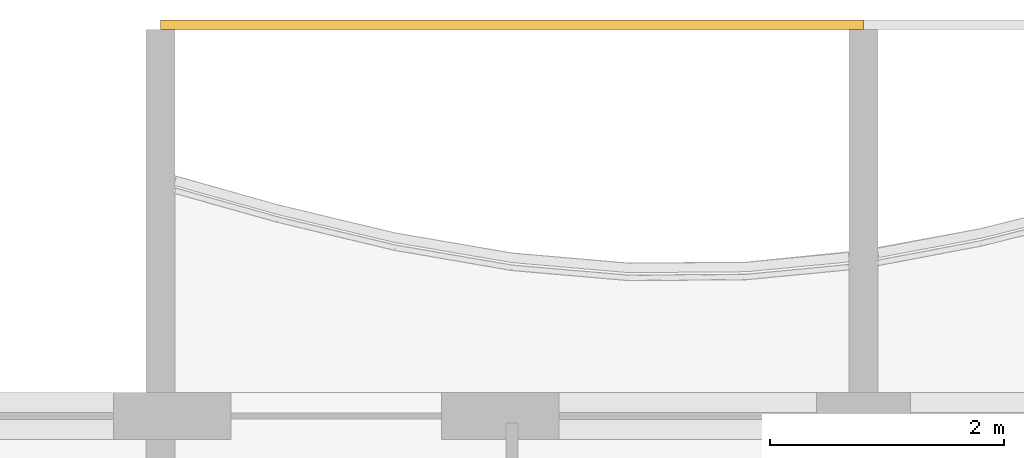
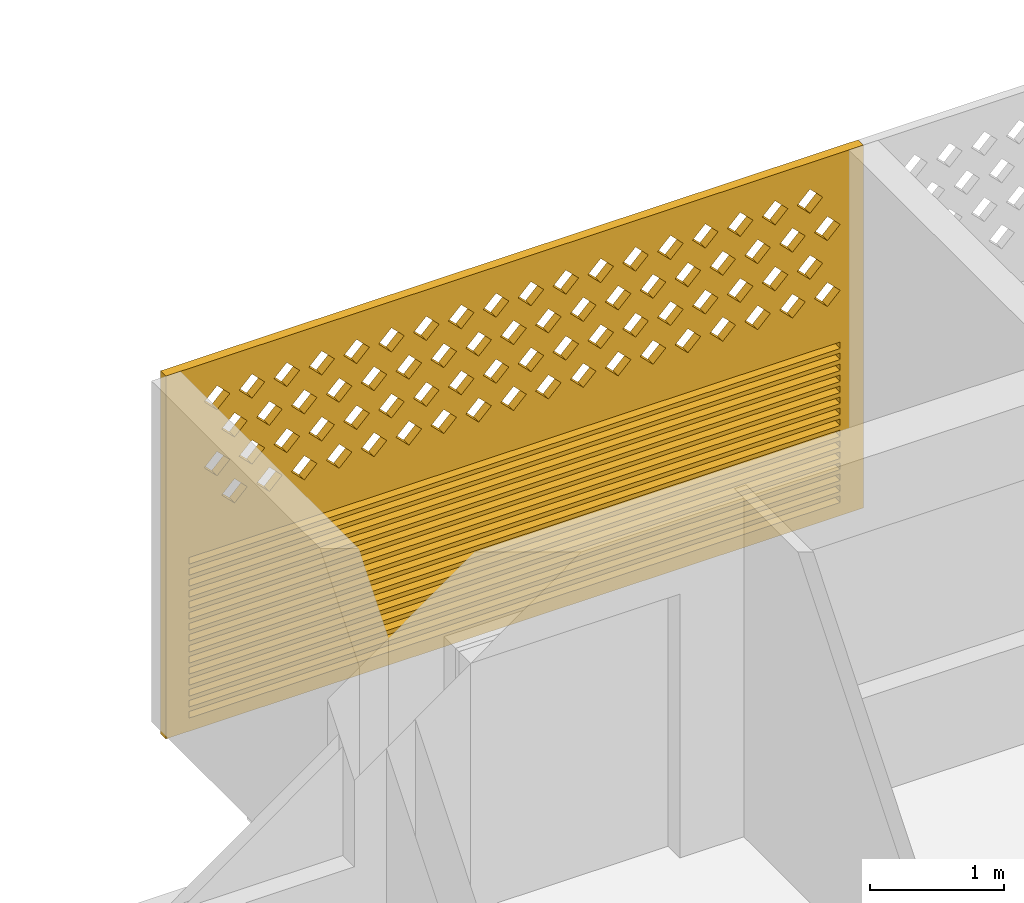
# One storey, part 24 of 26: 1 covering.
"""IFC4 building model written with IfcOpenShell, lengths in metres."""

from ifc_helpers import new_model, si_unit, direction, frame, origin, place, context, subcontext, project, spatial, polyline, outline, extrude, source, transform, mapped, material, material_profile, profile_set, type_object, element, save


model = new_model("IFC4")

# Units and contexts
model_context = context("Model", 3, precision=1e-05, world=origin(), true_north=direction((0.0, 1.0)))
body_context = subcontext(model_context, "Body", "Model", "MODEL_VIEW")
ifc_project = project(units=[si_unit("LENGTHUNIT", "METRE"), si_unit("AREAUNIT", "SQUARE_METRE"), si_unit("VOLUMEUNIT", "CUBIC_METRE"), si_unit("PLANEANGLEUNIT", "RADIAN"), si_unit("MASSUNIT", "GRAM", prefix="KILO")], contexts=[model_context])

# Site, building, storey
site_placement = place(None, origin())
site = spatial("IfcSite", under=ifc_project, at=site_placement, CompositionType="ELEMENT")
building_placement = place(site_placement, origin())
building = spatial("IfcBuilding", under=site, at=building_placement, Name="Poui Terraces", CompositionType="ELEMENT")
storey_placement = place(building_placement, frame((0.0, 0.0, 175.199951171875)))
storey = spatial("IfcBuildingStorey", under=building, at=storey_placement, Name="L48", CompositionType="ELEMENT", Elevation=175.199951171875)

# Covering
ifc_material = material(Name="Terracotta screen", Category="masonry")
ifc_material_profile = material_profile(ifc_material, outline(polyline([(-3.0, -1.64990234375), (3.0, -1.64990234375), (3.0, 1.64990234375), (-3.0, 1.64990234375), (-3.0, -1.64990234375)]), holes=[polyline([(-2.800048828125, 0.39990234375), (-2.68994140625, 0.2900390625), (-2.580078125, 0.39990234375), (-2.68994140625, 0.510009765625), (-2.800048828125, 0.39990234375)]), polyline([(-2.5, 0.39990234375), (-2.389892578125, 0.2900390625), (-2.280029296875, 0.39990234375), (-2.389892578125, 0.510009765625), (-2.5, 0.39990234375)]), polyline([(-2.199951171875, 0.39990234375), (-2.090087890625, 0.2900390625), (-1.97998046875, 0.39990234375), (-2.090087890625, 0.510009765625), (-2.199951171875, 0.39990234375)]), polyline([(-1.89990234375, 0.39990234375), (-1.7900390625, 0.2900390625), (-1.679931640625, 0.39990234375), (-1.7900390625, 0.510009765625), (-1.89990234375, 0.39990234375)]), polyline([(-1.60009765625, 0.39990234375), (-1.489990234375, 0.2900390625), (-1.3798828125, 0.39990234375), (-1.489990234375, 0.510009765625), (-1.60009765625, 0.39990234375)]), polyline([(-1.300048828125, 0.39990234375), (-1.18994140625, 0.2900390625), (-1.080078125, 0.39990234375), (-1.18994140625, 0.510009765625), (-1.300048828125, 0.39990234375)]), polyline([(-1.0, 0.39990234375), (-0.889892578125, 0.2900390625), (-0.780029296875, 0.39990234375), (-0.889892578125, 0.510009765625), (-1.0, 0.39990234375)]), polyline([(-0.699951171875, 0.39990234375), (-0.590087890625, 0.2900390625), (-0.47998046875, 0.39990234375), (-0.590087890625, 0.510009765625), (-0.699951171875, 0.39990234375)]), polyline([(-0.39990234375, 0.39990234375), (-0.2900390625, 0.2900390625), (-0.179931640625, 0.39990234375), (-0.2900390625, 0.510009765625), (-0.39990234375, 0.39990234375)]), polyline([(-0.10009765625, 0.39990234375), (0.010009765625, 0.2900390625), (0.1201171875, 0.39990234375), (0.010009765625, 0.510009765625), (-0.10009765625, 0.39990234375)]), polyline([(0.199951171875, 0.39990234375), (0.31005859375, 0.2900390625), (0.419921875, 0.39990234375), (0.31005859375, 0.510009765625), (0.199951171875, 0.39990234375)]), polyline([(0.5, 0.39990234375), (0.610107421875, 0.2900390625), (0.719970703125, 0.39990234375), (0.610107421875, 0.510009765625), (0.5, 0.39990234375)]), polyline([(0.800048828125, 0.39990234375), (0.909912109375, 0.2900390625), (1.02001953125, 0.39990234375), (0.909912109375, 0.510009765625), (0.800048828125, 0.39990234375)]), polyline([(1.10009765625, 0.39990234375), (1.2099609375, 0.2900390625), (1.320068359375, 0.39990234375), (1.2099609375, 0.510009765625), (1.10009765625, 0.39990234375)]), polyline([(1.39990234375, 0.39990234375), (1.510009765625, 0.2900390625), (1.6201171875, 0.39990234375), (1.510009765625, 0.510009765625), (1.39990234375, 0.39990234375)]), polyline([(1.699951171875, 0.39990234375), (1.81005859375, 0.2900390625), (1.919921875, 0.39990234375), (1.81005859375, 0.510009765625), (1.699951171875, 0.39990234375)]), polyline([(2.0, 0.39990234375), (2.110107421875, 0.2900390625), (2.219970703125, 0.39990234375), (2.110107421875, 0.510009765625), (2.0, 0.39990234375)]), polyline([(2.300048828125, 0.39990234375), (2.409912109375, 0.2900390625), (2.52001953125, 0.39990234375), (2.409912109375, 0.510009765625), (2.300048828125, 0.39990234375)]), polyline([(-2.64990234375, 0.699951171875), (-2.5400390625, 0.590087890625), (-2.429931640625, 0.699951171875), (-2.5400390625, 0.81005859375), (-2.64990234375, 0.699951171875)]), polyline([(-2.35009765625, 0.699951171875), (-2.239990234375, 0.590087890625), (-2.1298828125, 0.699951171875), (-2.239990234375, 0.81005859375), (-2.35009765625, 0.699951171875)]), polyline([(-2.050048828125, 0.699951171875), (-1.93994140625, 0.590087890625), (-1.830078125, 0.699951171875), (-1.93994140625, 0.81005859375), (-2.050048828125, 0.699951171875)]), polyline([(-1.75, 0.699951171875), (-1.639892578125, 0.590087890625), (-1.530029296875, 0.699951171875), (-1.639892578125, 0.81005859375), (-1.75, 0.699951171875)]), polyline([(-1.449951171875, 0.699951171875), (-1.340087890625, 0.590087890625), (-1.22998046875, 0.699951171875), (-1.340087890625, 0.81005859375), (-1.449951171875, 0.699951171875)]), polyline([(-1.14990234375, 0.699951171875), (-1.0400390625, 0.590087890625), (-0.929931640625, 0.699951171875), (-1.0400390625, 0.81005859375), (-1.14990234375, 0.699951171875)]), polyline([(-0.85009765625, 0.699951171875), (-0.739990234375, 0.590087890625), (-0.6298828125, 0.699951171875), (-0.739990234375, 0.81005859375), (-0.85009765625, 0.699951171875)]), polyline([(-0.550048828125, 0.699951171875), (-0.43994140625, 0.590087890625), (-0.330078125, 0.699951171875), (-0.43994140625, 0.81005859375), (-0.550048828125, 0.699951171875)]), polyline([(-0.25, 0.699951171875), (-0.139892578125, 0.590087890625), (-0.030029296875, 0.699951171875), (-0.139892578125, 0.81005859375), (-0.25, 0.699951171875)]), polyline([(0.050048828125, 0.699951171875), (0.159912109375, 0.590087890625), (0.27001953125, 0.699951171875), (0.159912109375, 0.81005859375), (0.050048828125, 0.699951171875)]), polyline([(0.35009765625, 0.699951171875), (0.4599609375, 0.590087890625), (0.570068359375, 0.699951171875), (0.4599609375, 0.81005859375), (0.35009765625, 0.699951171875)]), polyline([(0.64990234375, 0.699951171875), (0.760009765625, 0.590087890625), (0.8701171875, 0.699951171875), (0.760009765625, 0.81005859375), (0.64990234375, 0.699951171875)]), polyline([(0.949951171875, 0.699951171875), (1.06005859375, 0.590087890625), (1.169921875, 0.699951171875), (1.06005859375, 0.81005859375), (0.949951171875, 0.699951171875)]), polyline([(1.25, 0.699951171875), (1.360107421875, 0.590087890625), (1.469970703125, 0.699951171875), (1.360107421875, 0.81005859375), (1.25, 0.699951171875)]), polyline([(1.550048828125, 0.699951171875), (1.659912109375, 0.590087890625), (1.77001953125, 0.699951171875), (1.659912109375, 0.81005859375), (1.550048828125, 0.699951171875)]), polyline([(1.85009765625, 0.699951171875), (1.9599609375, 0.590087890625), (2.070068359375, 0.699951171875), (1.9599609375, 0.81005859375), (1.85009765625, 0.699951171875)]), polyline([(2.14990234375, 0.699951171875), (2.260009765625, 0.590087890625), (2.3701171875, 0.699951171875), (2.260009765625, 0.81005859375), (2.14990234375, 0.699951171875)]), polyline([(2.449951171875, 0.699951171875), (2.56005859375, 0.590087890625), (2.669921875, 0.699951171875), (2.56005859375, 0.81005859375), (2.449951171875, 0.699951171875)]), polyline([(-2.800048828125, 1.0), (-2.68994140625, 0.889892578125), (-2.580078125, 1.0), (-2.68994140625, 1.110107421875), (-2.800048828125, 1.0)]), polyline([(-2.5, 1.0), (-2.389892578125, 0.889892578125), (-2.280029296875, 1.0), (-2.389892578125, 1.110107421875), (-2.5, 1.0)]), polyline([(-2.199951171875, 1.0), (-2.090087890625, 0.889892578125), (-1.97998046875, 1.0), (-2.090087890625, 1.110107421875), (-2.199951171875, 1.0)]), polyline([(-1.89990234375, 1.0), (-1.7900390625, 0.889892578125), (-1.679931640625, 1.0), (-1.7900390625, 1.110107421875), (-1.89990234375, 1.0)]), polyline([(-1.60009765625, 1.0), (-1.489990234375, 0.889892578125), (-1.3798828125, 1.0), (-1.489990234375, 1.110107421875), (-1.60009765625, 1.0)]), polyline([(-1.300048828125, 1.0), (-1.18994140625, 0.889892578125), (-1.080078125, 1.0), (-1.18994140625, 1.110107421875), (-1.300048828125, 1.0)]), polyline([(-1.0, 1.0), (-0.889892578125, 0.889892578125), (-0.780029296875, 1.0), (-0.889892578125, 1.110107421875), (-1.0, 1.0)]), polyline([(-0.699951171875, 1.0), (-0.590087890625, 0.889892578125), (-0.47998046875, 1.0), (-0.590087890625, 1.110107421875), (-0.699951171875, 1.0)]), polyline([(-0.39990234375, 1.0), (-0.2900390625, 0.889892578125), (-0.179931640625, 1.0), (-0.2900390625, 1.110107421875), (-0.39990234375, 1.0)]), polyline([(-0.10009765625, 1.0), (0.010009765625, 0.889892578125), (0.1201171875, 1.0), (0.010009765625, 1.110107421875), (-0.10009765625, 1.0)]), polyline([(0.199951171875, 1.0), (0.31005859375, 0.889892578125), (0.419921875, 1.0), (0.31005859375, 1.110107421875), (0.199951171875, 1.0)]), polyline([(0.5, 1.0), (0.610107421875, 0.889892578125), (0.719970703125, 1.0), (0.610107421875, 1.110107421875), (0.5, 1.0)]), polyline([(0.800048828125, 1.0), (0.909912109375, 0.889892578125), (1.02001953125, 1.0), (0.909912109375, 1.110107421875), (0.800048828125, 1.0)]), polyline([(1.10009765625, 1.0), (1.2099609375, 0.889892578125), (1.320068359375, 1.0), (1.2099609375, 1.110107421875), (1.10009765625, 1.0)]), polyline([(1.39990234375, 1.0), (1.510009765625, 0.889892578125), (1.6201171875, 1.0), (1.510009765625, 1.110107421875), (1.39990234375, 1.0)]), polyline([(1.699951171875, 1.0), (1.81005859375, 0.889892578125), (1.919921875, 1.0), (1.81005859375, 1.110107421875), (1.699951171875, 1.0)]), polyline([(2.0, 1.0), (2.110107421875, 0.889892578125), (2.219970703125, 1.0), (2.110107421875, 1.110107421875), (2.0, 1.0)]), polyline([(2.300048828125, 1.0), (2.409912109375, 0.889892578125), (2.52001953125, 1.0), (2.409912109375, 1.110107421875), (2.300048828125, 1.0)]), polyline([(-2.64990234375, 1.300048828125), (-2.5400390625, 1.18994140625), (-2.429931640625, 1.300048828125), (-2.5400390625, 1.409912109375), (-2.64990234375, 1.300048828125)]), polyline([(-2.35009765625, 1.300048828125), (-2.239990234375, 1.18994140625), (-2.1298828125, 1.300048828125), (-2.239990234375, 1.409912109375), (-2.35009765625, 1.300048828125)]), polyline([(-2.050048828125, 1.300048828125), (-1.93994140625, 1.18994140625), (-1.830078125, 1.300048828125), (-1.93994140625, 1.409912109375), (-2.050048828125, 1.300048828125)]), polyline([(-1.75, 1.300048828125), (-1.639892578125, 1.18994140625), (-1.530029296875, 1.300048828125), (-1.639892578125, 1.409912109375), (-1.75, 1.300048828125)]), polyline([(-1.449951171875, 1.300048828125), (-1.340087890625, 1.18994140625), (-1.22998046875, 1.300048828125), (-1.340087890625, 1.409912109375), (-1.449951171875, 1.300048828125)]), polyline([(-1.14990234375, 1.300048828125), (-1.0400390625, 1.18994140625), (-0.929931640625, 1.300048828125), (-1.0400390625, 1.409912109375), (-1.14990234375, 1.300048828125)]), polyline([(-0.85009765625, 1.300048828125), (-0.739990234375, 1.18994140625), (-0.6298828125, 1.300048828125), (-0.739990234375, 1.409912109375), (-0.85009765625, 1.300048828125)]), polyline([(-0.550048828125, 1.300048828125), (-0.43994140625, 1.18994140625), (-0.330078125, 1.300048828125), (-0.43994140625, 1.409912109375), (-0.550048828125, 1.300048828125)]), polyline([(-0.25, 1.300048828125), (-0.139892578125, 1.18994140625), (-0.030029296875, 1.300048828125), (-0.139892578125, 1.409912109375), (-0.25, 1.300048828125)]), polyline([(0.050048828125, 1.300048828125), (0.159912109375, 1.18994140625), (0.27001953125, 1.300048828125), (0.159912109375, 1.409912109375), (0.050048828125, 1.300048828125)]), polyline([(0.35009765625, 1.300048828125), (0.4599609375, 1.18994140625), (0.570068359375, 1.300048828125), (0.4599609375, 1.409912109375), (0.35009765625, 1.300048828125)]), polyline([(0.64990234375, 1.300048828125), (0.760009765625, 1.18994140625), (0.8701171875, 1.300048828125), (0.760009765625, 1.409912109375), (0.64990234375, 1.300048828125)]), polyline([(0.949951171875, 1.300048828125), (1.06005859375, 1.18994140625), (1.169921875, 1.300048828125), (1.06005859375, 1.409912109375), (0.949951171875, 1.300048828125)]), polyline([(1.25, 1.300048828125), (1.360107421875, 1.18994140625), (1.469970703125, 1.300048828125), (1.360107421875, 1.409912109375), (1.25, 1.300048828125)]), polyline([(1.550048828125, 1.300048828125), (1.659912109375, 1.18994140625), (1.77001953125, 1.300048828125), (1.659912109375, 1.409912109375), (1.550048828125, 1.300048828125)]), polyline([(1.85009765625, 1.300048828125), (1.9599609375, 1.18994140625), (2.070068359375, 1.300048828125), (1.9599609375, 1.409912109375), (1.85009765625, 1.300048828125)]), polyline([(2.14990234375, 1.300048828125), (2.260009765625, 1.18994140625), (2.3701171875, 1.300048828125), (2.260009765625, 1.409912109375), (2.14990234375, 1.300048828125)]), polyline([(2.449951171875, 1.300048828125), (2.56005859375, 1.18994140625), (2.669921875, 1.300048828125), (2.56005859375, 1.409912109375), (2.449951171875, 1.300048828125)]), polyline([(-2.800048828125, -1.530029296875), (2.800048828125, -1.530029296875), (2.800048828125, -1.469970703125), (-2.800048828125, -1.469970703125), (-2.800048828125, -1.530029296875)]), polyline([(-2.800048828125, -1.429931640625), (2.800048828125, -1.429931640625), (2.800048828125, -1.3701171875), (-2.800048828125, -1.3701171875), (-2.800048828125, -1.429931640625)]), polyline([(-2.800048828125, -1.330078125), (2.800048828125, -1.330078125), (2.800048828125, -1.27001953125), (-2.800048828125, -1.27001953125), (-2.800048828125, -1.330078125)]), polyline([(-2.800048828125, -1.22998046875), (2.800048828125, -1.22998046875), (2.800048828125, -1.169921875), (-2.800048828125, -1.169921875), (-2.800048828125, -1.22998046875)]), polyline([(-2.800048828125, -1.1298828125), (2.800048828125, -1.1298828125), (2.800048828125, -1.070068359375), (-2.800048828125, -1.070068359375), (-2.800048828125, -1.1298828125)]), polyline([(-2.800048828125, -1.030029296875), (2.800048828125, -1.030029296875), (2.800048828125, -0.969970703125), (-2.800048828125, -0.969970703125), (-2.800048828125, -1.030029296875)]), polyline([(-2.800048828125, -0.929931640625), (2.800048828125, -0.929931640625), (2.800048828125, -0.8701171875), (-2.800048828125, -0.8701171875), (-2.800048828125, -0.929931640625)]), polyline([(-2.800048828125, -0.830078125), (2.800048828125, -0.830078125), (2.800048828125, -0.77001953125), (-2.800048828125, -0.77001953125), (-2.800048828125, -0.830078125)]), polyline([(-2.800048828125, -0.72998046875), (2.800048828125, -0.72998046875), (2.800048828125, -0.669921875), (-2.800048828125, -0.669921875), (-2.800048828125, -0.72998046875)]), polyline([(-2.800048828125, -0.6298828125), (2.800048828125, -0.6298828125), (2.800048828125, -0.570068359375), (-2.800048828125, -0.570068359375), (-2.800048828125, -0.6298828125)]), polyline([(-2.800048828125, -0.530029296875), (2.800048828125, -0.530029296875), (2.800048828125, -0.469970703125), (-2.800048828125, -0.469970703125), (-2.800048828125, -0.530029296875)]), polyline([(-2.800048828125, -0.429931640625), (2.800048828125, -0.429931640625), (2.800048828125, -0.3701171875), (-2.800048828125, -0.3701171875), (-2.800048828125, -0.429931640625)]), polyline([(-2.800048828125, -0.330078125), (2.800048828125, -0.330078125), (2.800048828125, -0.27001953125), (-2.800048828125, -0.27001953125), (-2.800048828125, -0.330078125)]), polyline([(-2.800048828125, -0.22998046875), (2.800048828125, -0.22998046875), (2.800048828125, -0.169921875), (-2.800048828125, -0.169921875), (-2.800048828125, -0.22998046875)]), polyline([(-2.800048828125, -0.1298828125), (2.800048828125, -0.1298828125), (2.800048828125, -0.070068359375), (-2.800048828125, -0.070068359375), (-2.800048828125, -0.1298828125)])]), Name="TERRACOTTA SCREEN AND JALOUSIE LOUVRE 6000X3300")
ifc_profile_set = profile_set([ifc_material_profile], Name="Terracotta screen")
covering_type = type_object("IfcCoveringType", Name="TERRACOTTA SCREEN AND JALOUSIE LOUVRE 6000X3300", PredefinedType="CLADDING", material=ifc_profile_set)
shared_shape = source(origin(), body_context, "Body", "SweptSolid", [
    extrude(outline(polyline([(-3.0, -1.64990234375), (3.0, -1.64990234375), (3.0, 1.64990234375), (-3.0, 1.64990234375), (-3.0, -1.64990234375)]), holes=[polyline([(-2.800048828125, 0.39990234375), (-2.68994140625, 0.2900390625), (-2.580078125, 0.39990234375), (-2.68994140625, 0.510009765625), (-2.800048828125, 0.39990234375)]), polyline([(-2.5, 0.39990234375), (-2.389892578125, 0.2900390625), (-2.280029296875, 0.39990234375), (-2.389892578125, 0.510009765625), (-2.5, 0.39990234375)]), polyline([(-2.199951171875, 0.39990234375), (-2.090087890625, 0.2900390625), (-1.97998046875, 0.39990234375), (-2.090087890625, 0.510009765625), (-2.199951171875, 0.39990234375)]), polyline([(-1.89990234375, 0.39990234375), (-1.7900390625, 0.2900390625), (-1.679931640625, 0.39990234375), (-1.7900390625, 0.510009765625), (-1.89990234375, 0.39990234375)]), polyline([(-1.60009765625, 0.39990234375), (-1.489990234375, 0.2900390625), (-1.3798828125, 0.39990234375), (-1.489990234375, 0.510009765625), (-1.60009765625, 0.39990234375)]), polyline([(-1.300048828125, 0.39990234375), (-1.18994140625, 0.2900390625), (-1.080078125, 0.39990234375), (-1.18994140625, 0.510009765625), (-1.300048828125, 0.39990234375)]), polyline([(-1.0, 0.39990234375), (-0.889892578125, 0.2900390625), (-0.780029296875, 0.39990234375), (-0.889892578125, 0.510009765625), (-1.0, 0.39990234375)]), polyline([(-0.699951171875, 0.39990234375), (-0.590087890625, 0.2900390625), (-0.47998046875, 0.39990234375), (-0.590087890625, 0.510009765625), (-0.699951171875, 0.39990234375)]), polyline([(-0.39990234375, 0.39990234375), (-0.2900390625, 0.2900390625), (-0.179931640625, 0.39990234375), (-0.2900390625, 0.510009765625), (-0.39990234375, 0.39990234375)]), polyline([(-0.10009765625, 0.39990234375), (0.010009765625, 0.2900390625), (0.1201171875, 0.39990234375), (0.010009765625, 0.510009765625), (-0.10009765625, 0.39990234375)]), polyline([(0.199951171875, 0.39990234375), (0.31005859375, 0.2900390625), (0.419921875, 0.39990234375), (0.31005859375, 0.510009765625), (0.199951171875, 0.39990234375)]), polyline([(0.5, 0.39990234375), (0.610107421875, 0.2900390625), (0.719970703125, 0.39990234375), (0.610107421875, 0.510009765625), (0.5, 0.39990234375)]), polyline([(0.800048828125, 0.39990234375), (0.909912109375, 0.2900390625), (1.02001953125, 0.39990234375), (0.909912109375, 0.510009765625), (0.800048828125, 0.39990234375)]), polyline([(1.10009765625, 0.39990234375), (1.2099609375, 0.2900390625), (1.320068359375, 0.39990234375), (1.2099609375, 0.510009765625), (1.10009765625, 0.39990234375)]), polyline([(1.39990234375, 0.39990234375), (1.510009765625, 0.2900390625), (1.6201171875, 0.39990234375), (1.510009765625, 0.510009765625), (1.39990234375, 0.39990234375)]), polyline([(1.699951171875, 0.39990234375), (1.81005859375, 0.2900390625), (1.919921875, 0.39990234375), (1.81005859375, 0.510009765625), (1.699951171875, 0.39990234375)]), polyline([(2.0, 0.39990234375), (2.110107421875, 0.2900390625), (2.219970703125, 0.39990234375), (2.110107421875, 0.510009765625), (2.0, 0.39990234375)]), polyline([(2.300048828125, 0.39990234375), (2.409912109375, 0.2900390625), (2.52001953125, 0.39990234375), (2.409912109375, 0.510009765625), (2.300048828125, 0.39990234375)]), polyline([(-2.64990234375, 0.699951171875), (-2.5400390625, 0.590087890625), (-2.429931640625, 0.699951171875), (-2.5400390625, 0.81005859375), (-2.64990234375, 0.699951171875)]), polyline([(-2.35009765625, 0.699951171875), (-2.239990234375, 0.590087890625), (-2.1298828125, 0.699951171875), (-2.239990234375, 0.81005859375), (-2.35009765625, 0.699951171875)]), polyline([(-2.050048828125, 0.699951171875), (-1.93994140625, 0.590087890625), (-1.830078125, 0.699951171875), (-1.93994140625, 0.81005859375), (-2.050048828125, 0.699951171875)]), polyline([(-1.75, 0.699951171875), (-1.639892578125, 0.590087890625), (-1.530029296875, 0.699951171875), (-1.639892578125, 0.81005859375), (-1.75, 0.699951171875)]), polyline([(-1.449951171875, 0.699951171875), (-1.340087890625, 0.590087890625), (-1.22998046875, 0.699951171875), (-1.340087890625, 0.81005859375), (-1.449951171875, 0.699951171875)]), polyline([(-1.14990234375, 0.699951171875), (-1.0400390625, 0.590087890625), (-0.929931640625, 0.699951171875), (-1.0400390625, 0.81005859375), (-1.14990234375, 0.699951171875)]), polyline([(-0.85009765625, 0.699951171875), (-0.739990234375, 0.590087890625), (-0.6298828125, 0.699951171875), (-0.739990234375, 0.81005859375), (-0.85009765625, 0.699951171875)]), polyline([(-0.550048828125, 0.699951171875), (-0.43994140625, 0.590087890625), (-0.330078125, 0.699951171875), (-0.43994140625, 0.81005859375), (-0.550048828125, 0.699951171875)]), polyline([(-0.25, 0.699951171875), (-0.139892578125, 0.590087890625), (-0.030029296875, 0.699951171875), (-0.139892578125, 0.81005859375), (-0.25, 0.699951171875)]), polyline([(0.050048828125, 0.699951171875), (0.159912109375, 0.590087890625), (0.27001953125, 0.699951171875), (0.159912109375, 0.81005859375), (0.050048828125, 0.699951171875)]), polyline([(0.35009765625, 0.699951171875), (0.4599609375, 0.590087890625), (0.570068359375, 0.699951171875), (0.4599609375, 0.81005859375), (0.35009765625, 0.699951171875)]), polyline([(0.64990234375, 0.699951171875), (0.760009765625, 0.590087890625), (0.8701171875, 0.699951171875), (0.760009765625, 0.81005859375), (0.64990234375, 0.699951171875)]), polyline([(0.949951171875, 0.699951171875), (1.06005859375, 0.590087890625), (1.169921875, 0.699951171875), (1.06005859375, 0.81005859375), (0.949951171875, 0.699951171875)]), polyline([(1.25, 0.699951171875), (1.360107421875, 0.590087890625), (1.469970703125, 0.699951171875), (1.360107421875, 0.81005859375), (1.25, 0.699951171875)]), polyline([(1.550048828125, 0.699951171875), (1.659912109375, 0.590087890625), (1.77001953125, 0.699951171875), (1.659912109375, 0.81005859375), (1.550048828125, 0.699951171875)]), polyline([(1.85009765625, 0.699951171875), (1.9599609375, 0.590087890625), (2.070068359375, 0.699951171875), (1.9599609375, 0.81005859375), (1.85009765625, 0.699951171875)]), polyline([(2.14990234375, 0.699951171875), (2.260009765625, 0.590087890625), (2.3701171875, 0.699951171875), (2.260009765625, 0.81005859375), (2.14990234375, 0.699951171875)]), polyline([(2.449951171875, 0.699951171875), (2.56005859375, 0.590087890625), (2.669921875, 0.699951171875), (2.56005859375, 0.81005859375), (2.449951171875, 0.699951171875)]), polyline([(-2.800048828125, 1.0), (-2.68994140625, 0.889892578125), (-2.580078125, 1.0), (-2.68994140625, 1.110107421875), (-2.800048828125, 1.0)]), polyline([(-2.5, 1.0), (-2.389892578125, 0.889892578125), (-2.280029296875, 1.0), (-2.389892578125, 1.110107421875), (-2.5, 1.0)]), polyline([(-2.199951171875, 1.0), (-2.090087890625, 0.889892578125), (-1.97998046875, 1.0), (-2.090087890625, 1.110107421875), (-2.199951171875, 1.0)]), polyline([(-1.89990234375, 1.0), (-1.7900390625, 0.889892578125), (-1.679931640625, 1.0), (-1.7900390625, 1.110107421875), (-1.89990234375, 1.0)]), polyline([(-1.60009765625, 1.0), (-1.489990234375, 0.889892578125), (-1.3798828125, 1.0), (-1.489990234375, 1.110107421875), (-1.60009765625, 1.0)]), polyline([(-1.300048828125, 1.0), (-1.18994140625, 0.889892578125), (-1.080078125, 1.0), (-1.18994140625, 1.110107421875), (-1.300048828125, 1.0)]), polyline([(-1.0, 1.0), (-0.889892578125, 0.889892578125), (-0.780029296875, 1.0), (-0.889892578125, 1.110107421875), (-1.0, 1.0)]), polyline([(-0.699951171875, 1.0), (-0.590087890625, 0.889892578125), (-0.47998046875, 1.0), (-0.590087890625, 1.110107421875), (-0.699951171875, 1.0)]), polyline([(-0.39990234375, 1.0), (-0.2900390625, 0.889892578125), (-0.179931640625, 1.0), (-0.2900390625, 1.110107421875), (-0.39990234375, 1.0)]), polyline([(-0.10009765625, 1.0), (0.010009765625, 0.889892578125), (0.1201171875, 1.0), (0.010009765625, 1.110107421875), (-0.10009765625, 1.0)]), polyline([(0.199951171875, 1.0), (0.31005859375, 0.889892578125), (0.419921875, 1.0), (0.31005859375, 1.110107421875), (0.199951171875, 1.0)]), polyline([(0.5, 1.0), (0.610107421875, 0.889892578125), (0.719970703125, 1.0), (0.610107421875, 1.110107421875), (0.5, 1.0)]), polyline([(0.800048828125, 1.0), (0.909912109375, 0.889892578125), (1.02001953125, 1.0), (0.909912109375, 1.110107421875), (0.800048828125, 1.0)]), polyline([(1.10009765625, 1.0), (1.2099609375, 0.889892578125), (1.320068359375, 1.0), (1.2099609375, 1.110107421875), (1.10009765625, 1.0)]), polyline([(1.39990234375, 1.0), (1.510009765625, 0.889892578125), (1.6201171875, 1.0), (1.510009765625, 1.110107421875), (1.39990234375, 1.0)]), polyline([(1.699951171875, 1.0), (1.81005859375, 0.889892578125), (1.919921875, 1.0), (1.81005859375, 1.110107421875), (1.699951171875, 1.0)]), polyline([(2.0, 1.0), (2.110107421875, 0.889892578125), (2.219970703125, 1.0), (2.110107421875, 1.110107421875), (2.0, 1.0)]), polyline([(2.300048828125, 1.0), (2.409912109375, 0.889892578125), (2.52001953125, 1.0), (2.409912109375, 1.110107421875), (2.300048828125, 1.0)]), polyline([(-2.64990234375, 1.300048828125), (-2.5400390625, 1.18994140625), (-2.429931640625, 1.300048828125), (-2.5400390625, 1.409912109375), (-2.64990234375, 1.300048828125)]), polyline([(-2.35009765625, 1.300048828125), (-2.239990234375, 1.18994140625), (-2.1298828125, 1.300048828125), (-2.239990234375, 1.409912109375), (-2.35009765625, 1.300048828125)]), polyline([(-2.050048828125, 1.300048828125), (-1.93994140625, 1.18994140625), (-1.830078125, 1.300048828125), (-1.93994140625, 1.409912109375), (-2.050048828125, 1.300048828125)]), polyline([(-1.75, 1.300048828125), (-1.639892578125, 1.18994140625), (-1.530029296875, 1.300048828125), (-1.639892578125, 1.409912109375), (-1.75, 1.300048828125)]), polyline([(-1.449951171875, 1.300048828125), (-1.340087890625, 1.18994140625), (-1.22998046875, 1.300048828125), (-1.340087890625, 1.409912109375), (-1.449951171875, 1.300048828125)]), polyline([(-1.14990234375, 1.300048828125), (-1.0400390625, 1.18994140625), (-0.929931640625, 1.300048828125), (-1.0400390625, 1.409912109375), (-1.14990234375, 1.300048828125)]), polyline([(-0.85009765625, 1.300048828125), (-0.739990234375, 1.18994140625), (-0.6298828125, 1.300048828125), (-0.739990234375, 1.409912109375), (-0.85009765625, 1.300048828125)]), polyline([(-0.550048828125, 1.300048828125), (-0.43994140625, 1.18994140625), (-0.330078125, 1.300048828125), (-0.43994140625, 1.409912109375), (-0.550048828125, 1.300048828125)]), polyline([(-0.25, 1.300048828125), (-0.139892578125, 1.18994140625), (-0.030029296875, 1.300048828125), (-0.139892578125, 1.409912109375), (-0.25, 1.300048828125)]), polyline([(0.050048828125, 1.300048828125), (0.159912109375, 1.18994140625), (0.27001953125, 1.300048828125), (0.159912109375, 1.409912109375), (0.050048828125, 1.300048828125)]), polyline([(0.35009765625, 1.300048828125), (0.4599609375, 1.18994140625), (0.570068359375, 1.300048828125), (0.4599609375, 1.409912109375), (0.35009765625, 1.300048828125)]), polyline([(0.64990234375, 1.300048828125), (0.760009765625, 1.18994140625), (0.8701171875, 1.300048828125), (0.760009765625, 1.409912109375), (0.64990234375, 1.300048828125)]), polyline([(0.949951171875, 1.300048828125), (1.06005859375, 1.18994140625), (1.169921875, 1.300048828125), (1.06005859375, 1.409912109375), (0.949951171875, 1.300048828125)]), polyline([(1.25, 1.300048828125), (1.360107421875, 1.18994140625), (1.469970703125, 1.300048828125), (1.360107421875, 1.409912109375), (1.25, 1.300048828125)]), polyline([(1.550048828125, 1.300048828125), (1.659912109375, 1.18994140625), (1.77001953125, 1.300048828125), (1.659912109375, 1.409912109375), (1.550048828125, 1.300048828125)]), polyline([(1.85009765625, 1.300048828125), (1.9599609375, 1.18994140625), (2.070068359375, 1.300048828125), (1.9599609375, 1.409912109375), (1.85009765625, 1.300048828125)]), polyline([(2.14990234375, 1.300048828125), (2.260009765625, 1.18994140625), (2.3701171875, 1.300048828125), (2.260009765625, 1.409912109375), (2.14990234375, 1.300048828125)]), polyline([(2.449951171875, 1.300048828125), (2.56005859375, 1.18994140625), (2.669921875, 1.300048828125), (2.56005859375, 1.409912109375), (2.449951171875, 1.300048828125)]), polyline([(-2.800048828125, -1.530029296875), (2.800048828125, -1.530029296875), (2.800048828125, -1.469970703125), (-2.800048828125, -1.469970703125), (-2.800048828125, -1.530029296875)]), polyline([(-2.800048828125, -1.429931640625), (2.800048828125, -1.429931640625), (2.800048828125, -1.3701171875), (-2.800048828125, -1.3701171875), (-2.800048828125, -1.429931640625)]), polyline([(-2.800048828125, -1.330078125), (2.800048828125, -1.330078125), (2.800048828125, -1.27001953125), (-2.800048828125, -1.27001953125), (-2.800048828125, -1.330078125)]), polyline([(-2.800048828125, -1.22998046875), (2.800048828125, -1.22998046875), (2.800048828125, -1.169921875), (-2.800048828125, -1.169921875), (-2.800048828125, -1.22998046875)]), polyline([(-2.800048828125, -1.1298828125), (2.800048828125, -1.1298828125), (2.800048828125, -1.070068359375), (-2.800048828125, -1.070068359375), (-2.800048828125, -1.1298828125)]), polyline([(-2.800048828125, -1.030029296875), (2.800048828125, -1.030029296875), (2.800048828125, -0.969970703125), (-2.800048828125, -0.969970703125), (-2.800048828125, -1.030029296875)]), polyline([(-2.800048828125, -0.929931640625), (2.800048828125, -0.929931640625), (2.800048828125, -0.8701171875), (-2.800048828125, -0.8701171875), (-2.800048828125, -0.929931640625)]), polyline([(-2.800048828125, -0.830078125), (2.800048828125, -0.830078125), (2.800048828125, -0.77001953125), (-2.800048828125, -0.77001953125), (-2.800048828125, -0.830078125)]), polyline([(-2.800048828125, -0.72998046875), (2.800048828125, -0.72998046875), (2.800048828125, -0.669921875), (-2.800048828125, -0.669921875), (-2.800048828125, -0.72998046875)]), polyline([(-2.800048828125, -0.6298828125), (2.800048828125, -0.6298828125), (2.800048828125, -0.570068359375), (-2.800048828125, -0.570068359375), (-2.800048828125, -0.6298828125)]), polyline([(-2.800048828125, -0.530029296875), (2.800048828125, -0.530029296875), (2.800048828125, -0.469970703125), (-2.800048828125, -0.469970703125), (-2.800048828125, -0.530029296875)]), polyline([(-2.800048828125, -0.429931640625), (2.800048828125, -0.429931640625), (2.800048828125, -0.3701171875), (-2.800048828125, -0.3701171875), (-2.800048828125, -0.429931640625)]), polyline([(-2.800048828125, -0.330078125), (2.800048828125, -0.330078125), (2.800048828125, -0.27001953125), (-2.800048828125, -0.27001953125), (-2.800048828125, -0.330078125)]), polyline([(-2.800048828125, -0.22998046875), (2.800048828125, -0.22998046875), (2.800048828125, -0.169921875), (-2.800048828125, -0.169921875), (-2.800048828125, -0.22998046875)]), polyline([(-2.800048828125, -0.1298828125), (2.800048828125, -0.1298828125), (2.800048828125, -0.070068359375), (-2.800048828125, -0.070068359375), (-2.800048828125, -0.1298828125)])]), origin(), (0.0, 0.0, 1.0), 0.080078125),
])
covering_placement = place(storey_placement, frame((69.0, 44.5, 1.449951171875), z_axis=(0.0, 1.0, 0.0), x_axis=(-1.0, 0.0, 0.0)))
element("IfcCovering", 1, at=covering_placement, inside=storey, type_object=covering_type, Name="SOLAR SCREEN AND JALOUSIE LOUVRE", PredefinedType="CLADDING", context=body_context, shape_type="MappedRepresentation", body=[
    mapped(shared_shape, transform((0.0, 0.0, 0.0))),
])

save(model, "model.ifc")
